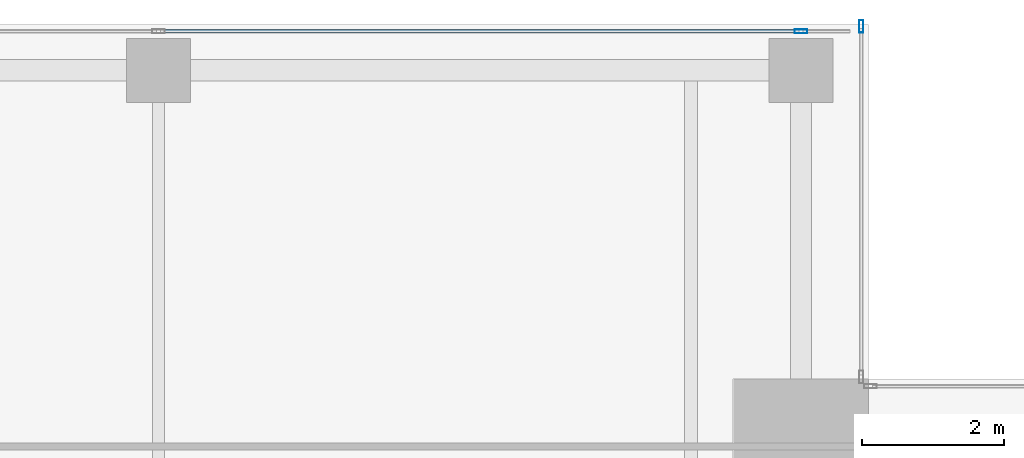
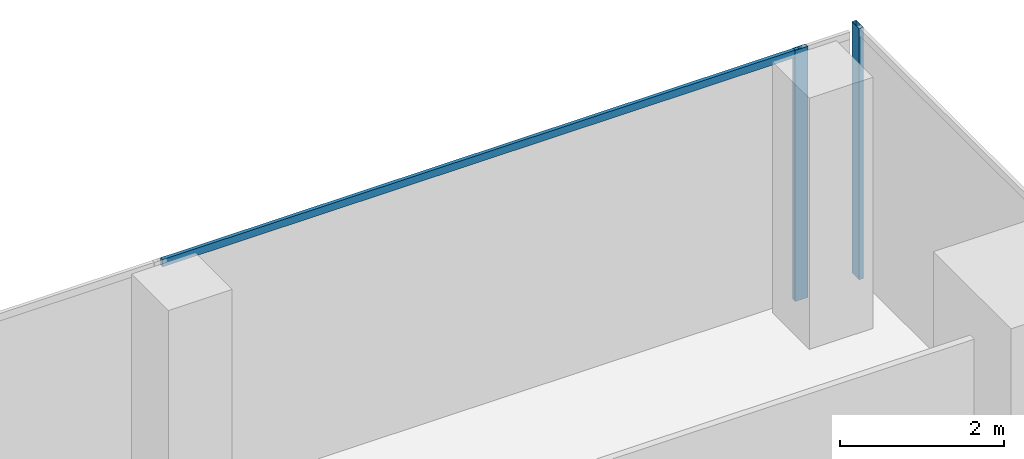
# One storey, part 23 of 35: 3 members, 2 elements without a shape of their own.
"""IFC4 building model written with IfcOpenShell, lengths in metres."""

from ifc_helpers import new_model, si_unit, direction, frame, origin, origin_2d, place, context, subcontext, project, spatial, hollow_rectangle, extrude, source, transform, mapped, material, material_profile, profile_set, type_object, element, aggregate, save


model = new_model("IFC4")

# Units and contexts
model_context = context("Model", 3, precision=1e-05, world=origin(), true_north=direction((0.0, 1.0)))
body_context = subcontext(model_context, "Body", "Model", "MODEL_VIEW")
ifc_project = project(units=[si_unit("LENGTHUNIT", "METRE"), si_unit("AREAUNIT", "SQUARE_METRE"), si_unit("VOLUMEUNIT", "CUBIC_METRE"), si_unit("PLANEANGLEUNIT", "RADIAN"), si_unit("MASSUNIT", "GRAM", prefix="KILO")], contexts=[model_context])

# Site, building, storey
site_placement = place(None, origin())
site = spatial("IfcSite", under=ifc_project, at=site_placement, CompositionType="ELEMENT")
building_placement = place(site_placement, origin())
building = spatial("IfcBuilding", under=site, at=building_placement, Name="Khomas Fold Tower", CompositionType="ELEMENT")
storey_placement = place(building_placement, frame((0.0, 0.0, 250.199951171875)))
storey = spatial("IfcBuildingStorey", under=building, at=storey_placement, Name="L56", CompositionType="ELEMENT", Elevation=250.199951171875)

# Curtain wall, member
ifc_material_1 = material(Name="Aluminium framed double glazing", Category="aluminium")
curtain_wall_type = type_object("IfcCurtainWallType", Name="SK-Unitised clear-glass wall, office floors CW2", PredefinedType="NOTDEFINED", material=ifc_material_1)
curtain_wall_1_placement = place(storey_placement, origin())
curtain_wall_1 = element("IfcCurtainWall", 1, at=curtain_wall_1_placement, inside=storey, type_object=curtain_wall_type, Name="CW2 corner return L56 05", PredefinedType="NOTDEFINED")
ifc_material_2 = material(Name="Aluminium", Category="aluminium")
ifc_material_profile_1 = material_profile(ifc_material_2, hollow_rectangle(XDim=0.06005859375, YDim=0.179931640625, WallThickness=0.00390625, at=origin_2d()), Name="SK-Unitised clear-glass wall, office floors mullion CW2-M")
ifc_profile_set_1 = profile_set([ifc_material_profile_1], Name="Aluminium")
member_type_1 = type_object("IfcMemberType", Name="SK-Unitised clear-glass wall, office floors mullion CW2-M", PredefinedType="MULLION", material=ifc_profile_set_1)
shared_shape_1 = source(origin(), body_context, "Body", "SweptSolid", [
    extrude(hollow_rectangle(XDim=0.06005859375, YDim=0.179931640625, WallThickness=0.00390625, at=origin_2d()), origin(), (0.0, 0.0, 1.0), 3.75),
])
member_1_placement = place(storey_placement, frame((44.39990234375, 49.469970703125, 0.0), z_axis=(0.0, 0.0, 1.0), x_axis=(-1.0, 0.0, 0.0)))
member_1 = element("IfcMember", 2, at=member_1_placement, type_object=member_type_1, Name="CW2 mullion 2", PredefinedType="MULLION", context=body_context, shape_type="MappedRepresentation", body=[
    mapped(shared_shape_1, transform((0.0, 0.0, 0.0))),
])
aggregate(curtain_wall_1, [member_1])

# Curtain wall, members
curtain_wall_2_placement = place(storey_placement, origin())
curtain_wall_2 = element("IfcCurtainWall", 3, at=curtain_wall_2_placement, inside=storey, type_object=curtain_wall_type, Name="CW2 run L56 06-0", PredefinedType="NOTDEFINED")
member_2_placement = place(storey_placement, frame((43.550048828125, 49.39990234375, 0.0), z_axis=(0.0, 0.0, 1.0), x_axis=(0.0, -1.0, 0.0)))
member_2 = element("IfcMember", 4, at=member_2_placement, type_object=member_type_1, Name="CW2 mullion 2", PredefinedType="MULLION", context=body_context, shape_type="MappedRepresentation", body=[
    mapped(shared_shape_1, transform((0.0, 0.0, 0.0))),
])
ifc_material_3 = material(Name="Aluminium", Category="aluminium")
ifc_material_profile_2 = material_profile(ifc_material_3, hollow_rectangle(XDim=0.050048828125, YDim=0.110107421875, WallThickness=0.00390625, at=origin_2d()), Name="SK-Unitised clear-glass wall, office floors transom CW2-T")
ifc_profile_set_2 = profile_set([ifc_material_profile_2], Name="Aluminium")
member_type_2 = type_object("IfcMemberType", Name="SK-Unitised clear-glass wall, office floors transom CW2-T", PredefinedType="USERDEFINED", material=ifc_profile_set_2)
shared_shape_2 = source(origin(), body_context, "Body", "SweptSolid", [
    extrude(hollow_rectangle(XDim=0.050048828125, YDim=0.110107421875, WallThickness=0.00390625, at=origin_2d()), origin(), (0.0, 0.0, 1.0), 8.989990234375),
])
member_3_placement = place(storey_placement, frame((43.52001953125, 49.39990234375, 3.695068359375), z_axis=(-1.0, 0.0, 0.0), x_axis=(0.0, -1.0, 0.0)))
member_3 = element("IfcMember", 5, at=member_3_placement, type_object=member_type_2, Name="CW2 transom 2", ObjectType="TRANSOM", PredefinedType="USERDEFINED", context=body_context, shape_type="MappedRepresentation", body=[
    mapped(shared_shape_2, transform((0.0, 0.0, 0.0))),
])
aggregate(curtain_wall_2, [member_2, member_3])

save(model, "model.ifc")
